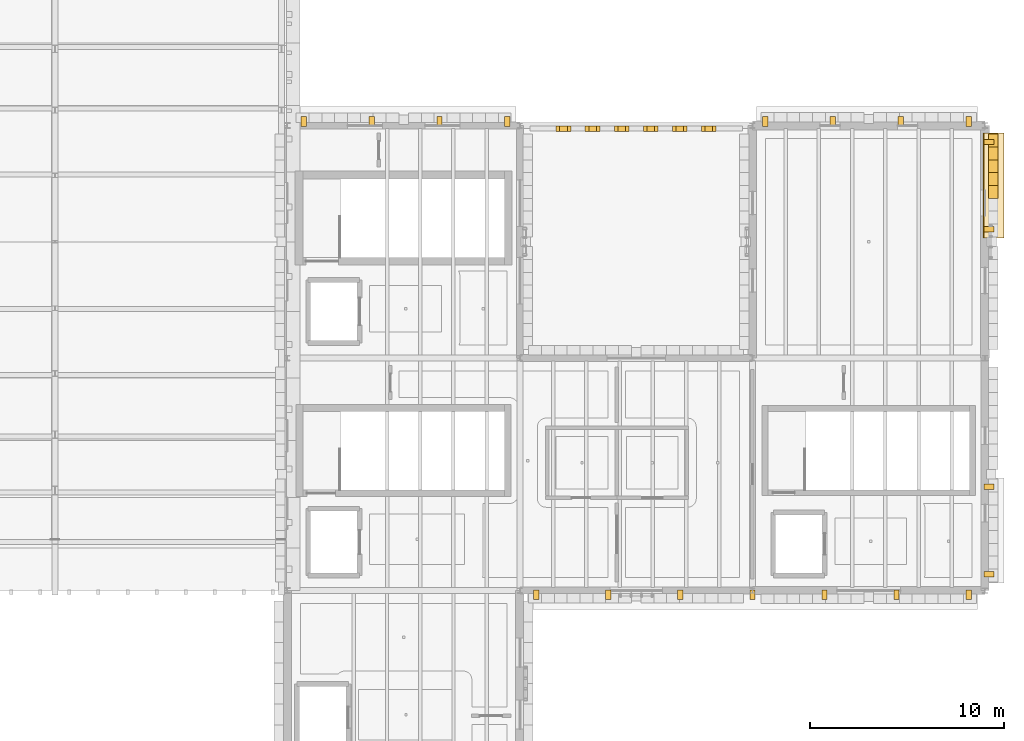
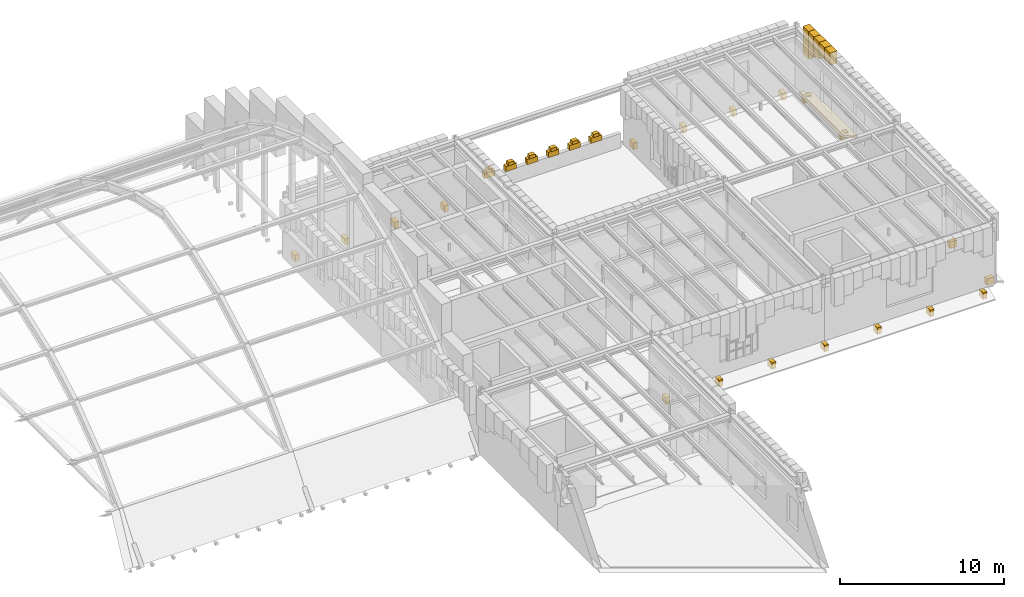
# One storey, part 35 of 35: 37 coverings.
"""IFC4 building model written with IfcOpenShell, lengths in metres."""

import ifcopenshell
import ifcopenshell.guid

model = None  # the IFC model being written
_history = None  # IfcOwnerHistory: only IFC2X3 demands one
_inside = {}  # id of a spatial element -> (the spatial element, [elements in it])
_under = {}  # id of a project, library or spatial element -> (it, [spatial elements below it])
_declared = {}  # id of a project -> (the project, [libraries it declares])
_typed = {}  # id of a type object -> (the type object, [elements of that type])
_made_of = {}  # id of a material, layer set ... -> (it, [elements and type objects made of it])


def new_model(schema):
    """Start an empty IFC model of exactly this schema.

    Asked for "IFC4X3", IfcOpenShell would pick the latest addendum, in which some entities
    have other attributes; the version numbers below select the first issue.
    IFC2X3 requires an IfcOwnerHistory on every rooted entity: one is made here for all.
    """
    global model, _history
    if schema == "IFC4X3":
        model = ifcopenshell.file(schema_version=(4, 3, 0, 0))
    else:
        model = ifcopenshell.file(schema=schema)
    _inside.clear()
    _under.clear()
    _declared.clear()
    _typed.clear()
    _made_of.clear()
    _history = None
    if model.schema == "IFC2X3":
        org = make("IfcOrganization", Name="unknown")
        user = make(
            "IfcPersonAndOrganization",
            ThePerson=make("IfcPerson", FamilyName="unknown"),
            TheOrganization=org,
        )
        app = make(
            "IfcApplication",
            ApplicationDeveloper=org,
            Version="unknown",
            ApplicationFullName="unknown",
            ApplicationIdentifier="unknown",
        )
        _history = make(
            "IfcOwnerHistory",
            OwningUser=user,
            OwningApplication=app,
            ChangeAction="ADDED",
            CreationDate=0,
        )
    return model


def make(cls, **values):
    """One entity of the class cls with the attributes given. An attribute that is None is left unset."""
    return model.create_entity(
        cls, **{name: value for name, value in values.items() if value is not None}
    )


def rooted(cls, **values):
    """An entity with a GlobalId (a new one), such as an element, a storey or a relation."""
    return make(cls, GlobalId=ifcopenshell.guid.new(), OwnerHistory=_history, **values)


def si_unit(unit_type, name, prefix=None):
    """IfcSIUnit, for example si_unit("LENGTHUNIT", "METRE", prefix="MILLI")."""
    return make("IfcSIUnit", UnitType=unit_type, Prefix=prefix, Name=name)


def assignment(units):
    """IfcUnitAssignment: the units of a project."""
    return None if units is None else make("IfcUnitAssignment", Units=units)


def point(xyz):
    """IfcCartesianPoint."""
    return None if xyz is None else make("IfcCartesianPoint", Coordinates=xyz)


def direction(xyz):
    """IfcDirection."""
    return None if xyz is None else make("IfcDirection", DirectionRatios=xyz)


def frame(location, z_axis=None, x_axis=None):
    """IfcAxis2Placement3D, a coordinate frame: its origin and axes. An axis left out is left unset."""
    return make(
        "IfcAxis2Placement3D",
        Location=point(location),
        Axis=direction(z_axis),
        RefDirection=direction(x_axis),
    )


def origin():
    """The frame at (0, 0, 0) with its axes left unset."""
    return frame((0.0, 0.0, 0.0))


def place(relative_to, where):
    """IfcLocalPlacement: puts the frame where relative to a parent placement (None: the world)."""
    return make(
        "IfcLocalPlacement", PlacementRelTo=relative_to, RelativePlacement=where
    )


def context(
    kind, dimensions, precision=None, world=None, true_north=None, identifier=None
):
    """IfcGeometricRepresentationContext, for example the 3D "Model" context."""
    return make(
        "IfcGeometricRepresentationContext",
        ContextIdentifier=identifier,
        ContextType=kind,
        CoordinateSpaceDimension=dimensions,
        Precision=precision,
        WorldCoordinateSystem=world,
        TrueNorth=true_north,
    )


def subcontext(parent, identifier, kind, view, scale=None):
    """IfcGeometricRepresentationSubContext, for example "Body" below "Model"."""
    return make(
        "IfcGeometricRepresentationSubContext",
        ContextIdentifier=identifier,
        ContextType=kind,
        ParentContext=parent,
        TargetScale=scale,
        TargetView=view,
    )


def project(units=None, contexts=None):
    """IfcProject with its units and contexts."""
    return rooted(
        "IfcProject",
        Name="project",
        RepresentationContexts=contexts,
        UnitsInContext=assignment(units),
    )


def spatial(cls, under=None, at=None, **own):
    """A site, building, storey or space (cls), placed at a placement, below another one or the project."""
    s = rooted(cls, ObjectPlacement=at, **own)
    if under is not None:
        _under.setdefault(under.id(), (under, []))[1].append(s)
    return s


def polyline(points):
    """IfcPolyline through the points."""
    return make("IfcPolyline", Points=[point(p) for p in points])


def outline(outer, holes=None, kind="AREA"):
    """IfcArbitraryClosedProfileDef: a profile drawn as a closed curve; with holes, ...WithVoids."""
    if holes is None:
        return make("IfcArbitraryClosedProfileDef", ProfileType=kind, OuterCurve=outer)
    return make(
        "IfcArbitraryProfileDefWithVoids",
        ProfileType=kind,
        OuterCurve=outer,
        InnerCurves=holes,
    )


def extrude(swept, where, along, depth):
    """IfcExtrudedAreaSolid: the profile swept, set in the frame where, extruded along a direction by depth."""
    return make(
        "IfcExtrudedAreaSolid",
        SweptArea=swept,
        Position=where,
        ExtrudedDirection=direction(along),
        Depth=depth,
    )


def shape(context_of_items, identifier, shape_type, items):
    """IfcShapeRepresentation: the items that make up one representation, for example the "Body"."""
    return make(
        "IfcShapeRepresentation",
        ContextOfItems=context_of_items,
        RepresentationIdentifier=identifier,
        RepresentationType=shape_type,
        Items=items,
    )


def material(Name=None, Category=None):
    """IfcMaterial."""
    return make("IfcMaterial", Name=Name, Category=Category)


def layer(
    of_material, thickness, ventilated=None, Name=None, Category=None, Priority=None
):
    """IfcMaterialLayer: one layer of a wall or slab, of a material (None: an air gap)."""
    return make(
        "IfcMaterialLayer",
        Material=of_material,
        LayerThickness=thickness,
        IsVentilated=ventilated,
        Name=Name,
        Category=Category,
        Priority=Priority,
    )


def layer_set(layers, Name=None):
    """IfcMaterialLayerSet."""
    return make("IfcMaterialLayerSet", MaterialLayers=layers, LayerSetName=Name)


def made_of(thing, what):
    """Note that an element or type object is made of a material, layer set ...; save() writes the relation."""
    if what is not None:
        _made_of.setdefault(what.id(), (what, []))[1].append(thing)
    return thing


def type_object(cls, material=None, **own):
    """A type object (cls), such as IfcWallType, which elements share."""
    return made_of(rooted(cls, **own), material)


def element(
    cls,
    number,
    at=None,
    inside=None,
    cuts=None,
    type_object=None,
    material=None,
    context=None,
    identifier="Body",
    shape_type=None,
    held_by="IfcProductDefinitionShape",
    body=None,
    shapes=None,
    **own,
):
    """One element of the class cls, such as IfcWall. Its Tag is "e" and its number.

    at: its placement. inside: the storey or other place that contains it. cuts: it is an
    opening in that element (IfcRelVoidsElement). A single representation is given by context,
    identifier, shape_type and body (its items); several are given by shapes. held_by: the class
    of the entity that holds the representations. save() writes the other relations.
    """
    e = rooted(cls, Tag="e%d" % number, ObjectPlacement=at, **own)
    if body is not None:
        shapes = [shape(context, identifier, shape_type, body)]
    if shapes is not None:
        e.Representation = make(held_by, Representations=shapes)
    if inside is not None:
        _inside.setdefault(inside.id(), (inside, []))[1].append(e)
    if cuts is not None:
        rooted(
            "IfcRelVoidsElement", RelatingBuildingElement=cuts, RelatedOpeningElement=e
        )
    if type_object is not None:
        _typed.setdefault(type_object.id(), (type_object, []))[1].append(e)
    return made_of(e, material)


def aggregate(whole, parts):
    """IfcRelAggregates: a whole, such as a stair, and the parts it consists of."""
    return rooted("IfcRelAggregates", RelatingObject=whole, RelatedObjects=parts)


def save(model, path):
    """Write the relations noted so far, then the file.

    IfcRelAggregates (storeys below a building ...), IfcRelContainedInSpatialStructure (elements
    in a storey), IfcRelDefinesByType, IfcRelAssociatesMaterial and IfcRelDeclares: one each for
    every whole, place, type object, material and project.
    """
    for whole, parts in _under.values():
        aggregate(whole, parts)
    for where, things in _inside.values():
        rooted(
            "IfcRelContainedInSpatialStructure",
            RelatedElements=things,
            RelatingStructure=where,
        )
    for kind, things in _typed.values():
        rooted("IfcRelDefinesByType", RelatedObjects=things, RelatingType=kind)
    for what, things in _made_of.values():
        rooted("IfcRelAssociatesMaterial", RelatedObjects=things, RelatingMaterial=what)
    for by, libraries in _declared.values():
        rooted("IfcRelDeclares", RelatingContext=by, RelatedDefinitions=libraries)
    model.write(path)


model = new_model("IFC4")

# Units and contexts
model_context = context("Model", 3, precision=1e-05, world=origin(), true_north=direction((0.0, 1.0)))
body_context = subcontext(model_context, "Body", "Model", "MODEL_VIEW")
ifc_project = project(units=[si_unit("LENGTHUNIT", "METRE"), si_unit("AREAUNIT", "SQUARE_METRE"), si_unit("VOLUMEUNIT", "CUBIC_METRE"), si_unit("PLANEANGLEUNIT", "RADIAN"), si_unit("MASSUNIT", "GRAM", prefix="KILO")], contexts=[model_context])

# Site, building, storey
site_placement = place(None, origin())
site = spatial("IfcSite", under=ifc_project, at=site_placement, CompositionType="ELEMENT")
building_placement = place(site_placement, origin())
building = spatial("IfcBuilding", under=site, at=building_placement, Name="Zlatogorsky Bluff Art Gallery", CompositionType="ELEMENT")
storey_placement = place(building_placement, frame((0.0, 0.0, 23.39990234375)))
storey = spatial("IfcBuildingStorey", under=building, at=storey_placement, Name="L04", CompositionType="ELEMENT", Elevation=23.39990234375)

# Coverings
ifc_material = material(Name="Honed Red Agra-Tone Quartzitic Sandstone", Category="masonry")
ifc_layer = layer(ifc_material, 0.1201171875)
ifc_layer_set = layer_set([ifc_layer], Name="Carved Sandstone Cladding CLD-02")
covering_type = type_object("IfcCoveringType", Name="Carved Sandstone Cladding CLD-02", PredefinedType="CLADDING", material=ifc_layer_set)
covering_1_placement = place(storey_placement, frame((0.0, 0.0, 3.865478515625)))
element("IfcCovering", 1, at=covering_1_placement, inside=storey, type_object=covering_type, Name="Pointed Mughal arch voussoir spandrel WARCH-L04-E-12-09-B.4", PredefinedType="CLADDING", context=body_context, shape_type="SweptSolid", body=[
    extrude(outline(polyline([(156.18994140625, 104.237548828125), (156.18994140625, 104.89990234375), (156.679931640625, 104.89990234375), (156.679931640625, 104.237548828125), (156.18994140625, 104.237548828125)])), origin(), (0.0, 0.0, 1.0), 0.89453125),
])
covering_2_placement = place(storey_placement, frame((0.0, 0.0, 3.865478515625)))
element("IfcCovering", 2, at=covering_2_placement, inside=storey, type_object=covering_type, Name="Pointed Mughal arch voussoir spandrel WARCH-L04-E-12-09-B.5", PredefinedType="CLADDING", context=body_context, shape_type="SweptSolid", body=[
    extrude(outline(polyline([(156.18994140625, 104.89990234375), (156.18994140625, 105.5625), (156.679931640625, 105.5625), (156.679931640625, 104.89990234375), (156.18994140625, 104.89990234375)])), origin(), (0.0, 0.0, 1.0), 0.89453125),
])
covering_3_placement = place(storey_placement, frame((0.0, 0.0, 3.496826171875)))
element("IfcCovering", 3, at=covering_3_placement, inside=storey, type_object=covering_type, Name="Pointed Mughal arch voussoir spandrel WARCH-L04-E-12-09-B.6", PredefinedType="CLADDING", context=body_context, shape_type="SweptSolid", body=[
    extrude(outline(polyline([(156.18994140625, 105.5625), (156.18994140625, 106.22509765625), (156.679931640625, 106.22509765625), (156.679931640625, 105.5625), (156.18994140625, 105.5625)])), origin(), (0.0, 0.0, 1.0), 1.26318359375),
])
covering_4_placement = place(storey_placement, frame((0.0, 0.0, 3.203857421875)))
element("IfcCovering", 4, at=covering_4_placement, inside=storey, type_object=covering_type, Name="Pointed Mughal arch voussoir spandrel WARCH-L04-E-12-09-B.7", PredefinedType="CLADDING", context=body_context, shape_type="SweptSolid", body=[
    extrude(outline(polyline([(156.18994140625, 106.22509765625), (156.18994140625, 106.887451171875), (156.679931640625, 106.887451171875), (156.679931640625, 106.22509765625), (156.18994140625, 106.22509765625)])), origin(), (0.0, 0.0, 1.0), 1.55615234375),
])
covering_5_placement = place(storey_placement, frame((0.0, 0.0, 2.672607421875)))
element("IfcCovering", 5, at=covering_5_placement, inside=storey, type_object=covering_type, Name="Pointed Mughal arch voussoir spandrel WARCH-L04-E-12-09-B.8", PredefinedType="CLADDING", context=body_context, shape_type="SweptSolid", body=[
    extrude(outline(polyline([(156.18994140625, 106.887451171875), (156.18994140625, 107.550048828125), (156.679931640625, 107.550048828125), (156.679931640625, 106.887451171875), (156.18994140625, 106.887451171875)])), origin(), (0.0, 0.0, 1.0), 2.08740234375),
])
covering_6_placement = place(storey_placement, frame((0.0, 0.0, -0.599853515625)))
element("IfcCovering", 6, at=covering_6_placement, inside=storey, type_object=covering_type, Name="Chhajja carved stone corbel CHJ-NE-N-L04A.1", PredefinedType="CLADDING", context=body_context, shape_type="SweptSolid", body=[
    extrude(outline(polyline([(120.7099609375, 107.9599609375), (120.989990234375, 107.9599609375), (120.989990234375, 108.4599609375), (120.7099609375, 108.4599609375), (120.7099609375, 107.9599609375)])), origin(), (0.0, 0.0, 1.0), 0.47998046875),
])
covering_7_placement = place(storey_placement, frame((0.0, 0.0, -0.599853515625)))
element("IfcCovering", 7, at=covering_7_placement, inside=storey, type_object=covering_type, Name="Chhajja carved stone corbel CHJ-NE-N-L04A.2", PredefinedType="CLADDING", context=body_context, shape_type="SweptSolid", body=[
    extrude(outline(polyline([(124.2099609375, 107.9599609375), (124.489990234375, 107.9599609375), (124.489990234375, 108.4599609375), (124.2099609375, 108.4599609375), (124.2099609375, 107.9599609375)])), origin(), (0.0, 0.0, 1.0), 0.47998046875),
])
covering_8_placement = place(storey_placement, frame((0.0, 0.0, -0.599853515625)))
element("IfcCovering", 8, at=covering_8_placement, inside=storey, type_object=covering_type, Name="Chhajja carved stone corbel CHJ-NE-N-L04A.3", PredefinedType="CLADDING", context=body_context, shape_type="SweptSolid", body=[
    extrude(outline(polyline([(127.7099609375, 107.9599609375), (127.989990234375, 107.9599609375), (127.989990234375, 108.4599609375), (127.7099609375, 108.4599609375), (127.7099609375, 107.9599609375)])), origin(), (0.0, 0.0, 1.0), 0.47998046875),
])
covering_9_placement = place(storey_placement, frame((0.0, 0.0, -0.599853515625)))
element("IfcCovering", 9, at=covering_9_placement, inside=storey, type_object=covering_type, Name="Chhajja carved stone corbel CHJ-NE-N-L04A.4", PredefinedType="CLADDING", context=body_context, shape_type="SweptSolid", body=[
    extrude(outline(polyline([(131.2099609375, 107.9599609375), (131.489990234375, 107.9599609375), (131.489990234375, 108.4599609375), (131.2099609375, 108.4599609375), (131.2099609375, 107.9599609375)])), origin(), (0.0, 0.0, 1.0), 0.47998046875),
])
covering_10_placement = place(storey_placement, frame((0.0, 0.0, -0.599853515625)))
element("IfcCovering", 10, at=covering_10_placement, inside=storey, type_object=covering_type, Name="Chhajja carved stone corbel CHJ-NE-N-L04B.1", PredefinedType="CLADDING", context=body_context, shape_type="SweptSolid", body=[
    extrude(outline(polyline([(144.510009765625, 107.9599609375), (144.7900390625, 107.9599609375), (144.7900390625, 108.4599609375), (144.510009765625, 108.4599609375), (144.510009765625, 107.9599609375)])), origin(), (0.0, 0.0, 1.0), 0.47998046875),
])
covering_11_placement = place(storey_placement, frame((0.0, 0.0, -0.599853515625)))
element("IfcCovering", 11, at=covering_11_placement, inside=storey, type_object=covering_type, Name="Chhajja carved stone corbel CHJ-NE-N-L04B.2", PredefinedType="CLADDING", context=body_context, shape_type="SweptSolid", body=[
    extrude(outline(polyline([(148.010009765625, 107.9599609375), (148.2900390625, 107.9599609375), (148.2900390625, 108.4599609375), (148.010009765625, 108.4599609375), (148.010009765625, 107.9599609375)])), origin(), (0.0, 0.0, 1.0), 0.47998046875),
])
covering_12_placement = place(storey_placement, frame((0.0, 0.0, -0.599853515625)))
element("IfcCovering", 12, at=covering_12_placement, inside=storey, type_object=covering_type, Name="Chhajja carved stone corbel CHJ-NE-N-L04B.3", PredefinedType="CLADDING", context=body_context, shape_type="SweptSolid", body=[
    extrude(outline(polyline([(151.510009765625, 107.9599609375), (151.7900390625, 107.9599609375), (151.7900390625, 108.4599609375), (151.510009765625, 108.4599609375), (151.510009765625, 107.9599609375)])), origin(), (0.0, 0.0, 1.0), 0.47998046875),
])
covering_13_placement = place(storey_placement, frame((0.0, 0.0, -0.599853515625)))
element("IfcCovering", 13, at=covering_13_placement, inside=storey, type_object=covering_type, Name="Chhajja carved stone corbel CHJ-NE-N-L04B.4", PredefinedType="CLADDING", context=body_context, shape_type="SweptSolid", body=[
    extrude(outline(polyline([(155.010009765625, 107.9599609375), (155.2900390625, 107.9599609375), (155.2900390625, 108.4599609375), (155.010009765625, 108.4599609375), (155.010009765625, 107.9599609375)])), origin(), (0.0, 0.0, 1.0), 0.47998046875),
])
covering_14_placement = place(storey_placement, frame((0.0, 0.0, -0.599853515625)))
element("IfcCovering", 14, at=covering_14_placement, inside=storey, type_object=covering_type, Name="Chhajja carved stone corbel CHJ-NE-E-L04A.1", PredefinedType="CLADDING", context=body_context, shape_type="SweptSolid", body=[
    extrude(outline(polyline([(155.9599609375, 84.7099609375), (155.9599609375, 84.989990234375), (156.4599609375, 84.989990234375), (156.4599609375, 84.7099609375), (155.9599609375, 84.7099609375)])), origin(), (0.0, 0.0, 1.0), 0.47998046875),
])
covering_15_placement = place(storey_placement, frame((0.0, 0.0, -0.599853515625)))
element("IfcCovering", 15, at=covering_15_placement, inside=storey, type_object=covering_type, Name="Chhajja carved stone corbel CHJ-NE-E-L04A.2", PredefinedType="CLADDING", context=body_context, shape_type="SweptSolid", body=[
    extrude(outline(polyline([(155.9599609375, 89.2099609375), (155.9599609375, 89.489990234375), (156.4599609375, 89.489990234375), (156.4599609375, 89.2099609375), (155.9599609375, 89.2099609375)])), origin(), (0.0, 0.0, 1.0), 0.47998046875),
])
covering_16_placement = place(storey_placement, frame((155.9599609375, 107.60009765625, -0.039794921875), z_axis=(0.380872241927, 0.0, 0.924627673893), x_axis=(0.0, -1.0, 0.0)))
element("IfcCovering", 16, at=covering_16_placement, inside=storey, type_object=covering_type, Name="Projecting sloped Mughal chhajja stone eave CHJ-NE-E-L04B", PredefinedType="CLADDING", context=body_context, shape_type="SweptSolid", body=[
    extrude(outline(polyline([(0.0, 0.0), (5.400146484375, 0.0), (5.400146484375, 1.1031678588581422), (0.0, 1.1031678588581422), (0.0, 0.0)])), origin(), (0.0, 0.0, -1.0), 0.139892578125),
])
covering_17_placement = place(storey_placement, frame((0.0, 0.0, -0.599853515625)))
element("IfcCovering", 17, at=covering_17_placement, inside=storey, type_object=covering_type, Name="Chhajja carved stone corbel CHJ-NE-E-L04B.1", PredefinedType="CLADDING", context=body_context, shape_type="SweptSolid", body=[
    extrude(outline(polyline([(155.9599609375, 102.510009765625), (155.9599609375, 102.7900390625), (156.4599609375, 102.7900390625), (156.4599609375, 102.510009765625), (155.9599609375, 102.510009765625)])), origin(), (0.0, 0.0, 1.0), 0.47998046875),
])
covering_18_placement = place(storey_placement, frame((0.0, 0.0, -0.599853515625)))
element("IfcCovering", 18, at=covering_18_placement, inside=storey, type_object=covering_type, Name="Chhajja carved stone corbel CHJ-NE-E-L04B.2", PredefinedType="CLADDING", context=body_context, shape_type="SweptSolid", body=[
    extrude(outline(polyline([(155.9599609375, 107.010009765625), (155.9599609375, 107.2900390625), (156.4599609375, 107.2900390625), (156.4599609375, 107.010009765625), (155.9599609375, 107.010009765625)])), origin(), (0.0, 0.0, 1.0), 0.47998046875),
])
covering_19_placement = place(storey_placement, frame((0.0, 0.0, -0.599853515625)))
element("IfcCovering", 19, at=covering_19_placement, inside=storey, type_object=covering_type, Name="Chhajja carved stone corbel CHJ-NE-S-L04.1", PredefinedType="CLADDING", context=body_context, shape_type="SweptSolid", body=[
    extrude(outline(polyline([(132.7099609375, 83.5400390625), (132.989990234375, 83.5400390625), (132.989990234375, 84.0400390625), (132.7099609375, 84.0400390625), (132.7099609375, 83.5400390625)])), origin(), (0.0, 0.0, 1.0), 0.47998046875),
])
covering_20_placement = place(storey_placement, frame((0.0, 0.0, -0.599853515625)))
element("IfcCovering", 20, at=covering_20_placement, inside=storey, type_object=covering_type, Name="Chhajja carved stone corbel CHJ-NE-S-L04.2", PredefinedType="CLADDING", context=body_context, shape_type="SweptSolid", body=[
    extrude(outline(polyline([(136.4267578125, 83.5400390625), (136.706787109375, 83.5400390625), (136.706787109375, 84.0400390625), (136.4267578125, 84.0400390625), (136.4267578125, 83.5400390625)])), origin(), (0.0, 0.0, 1.0), 0.47998046875),
])
covering_21_placement = place(storey_placement, frame((0.0, 0.0, -0.599853515625)))
element("IfcCovering", 21, at=covering_21_placement, inside=storey, type_object=covering_type, Name="Chhajja carved stone corbel CHJ-NE-S-L04.3", PredefinedType="CLADDING", context=body_context, shape_type="SweptSolid", body=[
    extrude(outline(polyline([(140.143310546875, 83.5400390625), (140.42333984375, 83.5400390625), (140.42333984375, 84.0400390625), (140.143310546875, 84.0400390625), (140.143310546875, 83.5400390625)])), origin(), (0.0, 0.0, 1.0), 0.47998046875),
])
covering_22_placement = place(storey_placement, frame((0.0, 0.0, -0.599853515625)))
element("IfcCovering", 22, at=covering_22_placement, inside=storey, type_object=covering_type, Name="Chhajja carved stone corbel CHJ-NE-S-L04.4", PredefinedType="CLADDING", context=body_context, shape_type="SweptSolid", body=[
    extrude(outline(polyline([(143.860107421875, 83.5400390625), (144.139892578125, 83.5400390625), (144.139892578125, 84.0400390625), (143.860107421875, 84.0400390625), (143.860107421875, 83.5400390625)])), origin(), (0.0, 0.0, 1.0), 0.47998046875),
])
covering_23_placement = place(storey_placement, frame((0.0, 0.0, -0.599853515625)))
element("IfcCovering", 23, at=covering_23_placement, inside=storey, type_object=covering_type, Name="Chhajja carved stone corbel CHJ-NE-S-L04.5", PredefinedType="CLADDING", context=body_context, shape_type="SweptSolid", body=[
    extrude(outline(polyline([(147.57666015625, 83.5400390625), (147.856689453125, 83.5400390625), (147.856689453125, 84.0400390625), (147.57666015625, 84.0400390625), (147.57666015625, 83.5400390625)])), origin(), (0.0, 0.0, 1.0), 0.47998046875),
])
covering_24_placement = place(storey_placement, frame((0.0, 0.0, -0.599853515625)))
element("IfcCovering", 24, at=covering_24_placement, inside=storey, type_object=covering_type, Name="Chhajja carved stone corbel CHJ-NE-S-L04.6", PredefinedType="CLADDING", context=body_context, shape_type="SweptSolid", body=[
    extrude(outline(polyline([(151.293212890625, 83.5400390625), (151.5732421875, 83.5400390625), (151.5732421875, 84.0400390625), (151.293212890625, 84.0400390625), (151.293212890625, 83.5400390625)])), origin(), (0.0, 0.0, 1.0), 0.47998046875),
])
covering_25_placement = place(storey_placement, frame((0.0, 0.0, -0.599853515625)))
element("IfcCovering", 25, at=covering_25_placement, inside=storey, type_object=covering_type, Name="Chhajja carved stone corbel CHJ-NE-S-L04.7", PredefinedType="CLADDING", context=body_context, shape_type="SweptSolid", body=[
    extrude(outline(polyline([(155.010009765625, 83.5400390625), (155.2900390625, 83.5400390625), (155.2900390625, 84.0400390625), (155.010009765625, 84.0400390625), (155.010009765625, 83.5400390625)])), origin(), (0.0, 0.0, 1.0), 0.47998046875),
])
covering_26_placement = place(storey_placement, frame((0.0, 0.0, 1.1201171875)))
element("IfcCovering", 26, at=covering_26_placement, inside=storey, type_object=covering_type, Name="Kangura stepped merlon base PAR-RF-L04-01-3.1", PredefinedType="CLADDING", context=body_context, shape_type="SweptSolid", body=[
    extrude(outline(polyline([(133.8701171875, 107.699951171875), (134.6298828125, 107.699951171875), (134.6298828125, 107.97998046875), (133.8701171875, 107.97998046875), (133.8701171875, 107.699951171875)])), origin(), (0.0, 0.0, 1.0), 0.3896484375),
])
covering_27_placement = place(storey_placement, frame((0.0, 0.0, 1.4921875)))
element("IfcCovering", 27, at=covering_27_placement, inside=storey, type_object=covering_type, Name="Kangura pointed merlon finial PAR-RF-L04-01-3.1", PredefinedType="CLADDING", context=body_context, shape_type="SweptSolid", body=[
    extrude(outline(polyline([(134.052490234375, 107.699951171875), (134.447509765625, 107.699951171875), (134.447509765625, 107.97998046875), (134.052490234375, 107.97998046875), (134.052490234375, 107.699951171875)])), origin(), (0.0, 0.0, 1.0), 0.23779296875),
])
covering_28_placement = place(storey_placement, frame((0.0, 0.0, 1.1201171875)))
element("IfcCovering", 28, at=covering_28_placement, inside=storey, type_object=covering_type, Name="Kangura stepped merlon base PAR-RF-L04-01-3.2", PredefinedType="CLADDING", context=body_context, shape_type="SweptSolid", body=[
    extrude(outline(polyline([(135.3701171875, 107.699951171875), (136.1298828125, 107.699951171875), (136.1298828125, 107.97998046875), (135.3701171875, 107.97998046875), (135.3701171875, 107.699951171875)])), origin(), (0.0, 0.0, 1.0), 0.3896484375),
])
covering_29_placement = place(storey_placement, frame((0.0, 0.0, 1.4921875)))
element("IfcCovering", 29, at=covering_29_placement, inside=storey, type_object=covering_type, Name="Kangura pointed merlon finial PAR-RF-L04-01-3.2", PredefinedType="CLADDING", context=body_context, shape_type="SweptSolid", body=[
    extrude(outline(polyline([(135.552490234375, 107.699951171875), (135.947509765625, 107.699951171875), (135.947509765625, 107.97998046875), (135.552490234375, 107.97998046875), (135.552490234375, 107.699951171875)])), origin(), (0.0, 0.0, 1.0), 0.23779296875),
])
covering_30_placement = place(storey_placement, frame((0.0, 0.0, 1.1201171875)))
element("IfcCovering", 30, at=covering_30_placement, inside=storey, type_object=covering_type, Name="Kangura stepped merlon base PAR-RF-L04-01-3.3", PredefinedType="CLADDING", context=body_context, shape_type="SweptSolid", body=[
    extrude(outline(polyline([(136.8701171875, 107.699951171875), (137.6298828125, 107.699951171875), (137.6298828125, 107.97998046875), (136.8701171875, 107.97998046875), (136.8701171875, 107.699951171875)])), origin(), (0.0, 0.0, 1.0), 0.3896484375),
])
covering_31_placement = place(storey_placement, frame((0.0, 0.0, 1.4921875)))
element("IfcCovering", 31, at=covering_31_placement, inside=storey, type_object=covering_type, Name="Kangura pointed merlon finial PAR-RF-L04-01-3.3", PredefinedType="CLADDING", context=body_context, shape_type="SweptSolid", body=[
    extrude(outline(polyline([(137.052490234375, 107.699951171875), (137.447509765625, 107.699951171875), (137.447509765625, 107.97998046875), (137.052490234375, 107.97998046875), (137.052490234375, 107.699951171875)])), origin(), (0.0, 0.0, 1.0), 0.23779296875),
])
covering_32_placement = place(storey_placement, frame((0.0, 0.0, 1.1201171875)))
element("IfcCovering", 32, at=covering_32_placement, inside=storey, type_object=covering_type, Name="Kangura stepped merlon base PAR-RF-L04-01-3.4", PredefinedType="CLADDING", context=body_context, shape_type="SweptSolid", body=[
    extrude(outline(polyline([(138.3701171875, 107.699951171875), (139.1298828125, 107.699951171875), (139.1298828125, 107.97998046875), (138.3701171875, 107.97998046875), (138.3701171875, 107.699951171875)])), origin(), (0.0, 0.0, 1.0), 0.3896484375),
])
covering_33_placement = place(storey_placement, frame((0.0, 0.0, 1.4921875)))
element("IfcCovering", 33, at=covering_33_placement, inside=storey, type_object=covering_type, Name="Kangura pointed merlon finial PAR-RF-L04-01-3.4", PredefinedType="CLADDING", context=body_context, shape_type="SweptSolid", body=[
    extrude(outline(polyline([(138.552490234375, 107.699951171875), (138.947509765625, 107.699951171875), (138.947509765625, 107.97998046875), (138.552490234375, 107.97998046875), (138.552490234375, 107.699951171875)])), origin(), (0.0, 0.0, 1.0), 0.23779296875),
])
covering_34_placement = place(storey_placement, frame((0.0, 0.0, 1.1201171875)))
element("IfcCovering", 34, at=covering_34_placement, inside=storey, type_object=covering_type, Name="Kangura stepped merlon base PAR-RF-L04-01-3.5", PredefinedType="CLADDING", context=body_context, shape_type="SweptSolid", body=[
    extrude(outline(polyline([(139.8701171875, 107.699951171875), (140.6298828125, 107.699951171875), (140.6298828125, 107.97998046875), (139.8701171875, 107.97998046875), (139.8701171875, 107.699951171875)])), origin(), (0.0, 0.0, 1.0), 0.3896484375),
])
covering_35_placement = place(storey_placement, frame((0.0, 0.0, 1.4921875)))
element("IfcCovering", 35, at=covering_35_placement, inside=storey, type_object=covering_type, Name="Kangura pointed merlon finial PAR-RF-L04-01-3.5", PredefinedType="CLADDING", context=body_context, shape_type="SweptSolid", body=[
    extrude(outline(polyline([(140.052490234375, 107.699951171875), (140.447509765625, 107.699951171875), (140.447509765625, 107.97998046875), (140.052490234375, 107.97998046875), (140.052490234375, 107.699951171875)])), origin(), (0.0, 0.0, 1.0), 0.23779296875),
])
covering_36_placement = place(storey_placement, frame((0.0, 0.0, 1.1201171875)))
element("IfcCovering", 36, at=covering_36_placement, inside=storey, type_object=covering_type, Name="Kangura stepped merlon base PAR-RF-L04-01-3.6", PredefinedType="CLADDING", context=body_context, shape_type="SweptSolid", body=[
    extrude(outline(polyline([(141.3701171875, 107.699951171875), (142.1298828125, 107.699951171875), (142.1298828125, 107.97998046875), (141.3701171875, 107.97998046875), (141.3701171875, 107.699951171875)])), origin(), (0.0, 0.0, 1.0), 0.3896484375),
])
covering_37_placement = place(storey_placement, frame((0.0, 0.0, 1.4921875)))
element("IfcCovering", 37, at=covering_37_placement, inside=storey, type_object=covering_type, Name="Kangura pointed merlon finial PAR-RF-L04-01-3.6", PredefinedType="CLADDING", context=body_context, shape_type="SweptSolid", body=[
    extrude(outline(polyline([(141.552490234375, 107.699951171875), (141.947509765625, 107.699951171875), (141.947509765625, 107.97998046875), (141.552490234375, 107.97998046875), (141.552490234375, 107.699951171875)])), origin(), (0.0, 0.0, 1.0), 0.23779296875),
])

save(model, "model.ifc")
